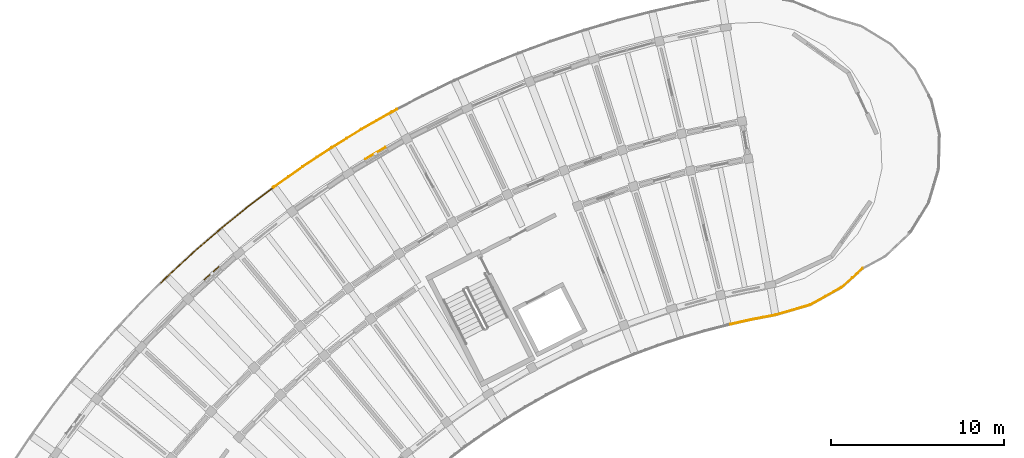
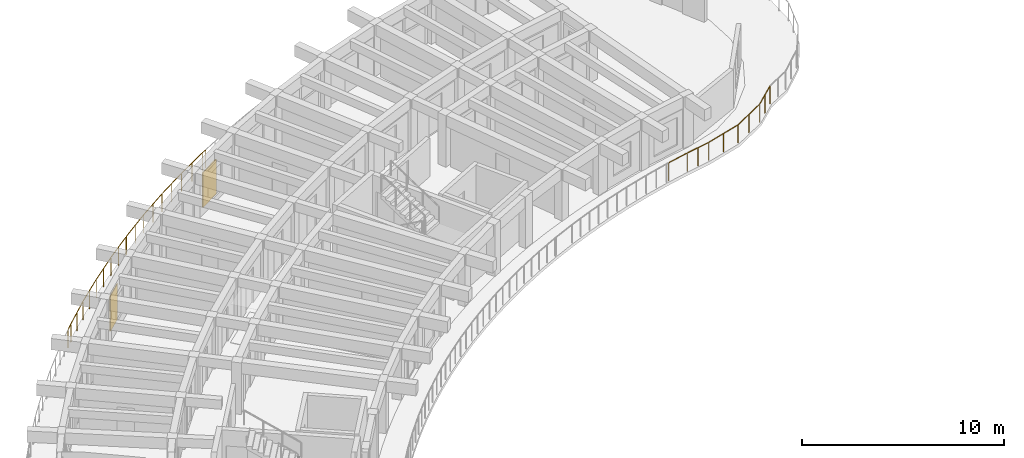
# One storey, part 55 of 62: 3 railings, 2 shading devices.
"""IFC4 building model written with IfcOpenShell, lengths in metres."""

import ifcopenshell
import ifcopenshell.guid

model = None  # the IFC model being written
_history = None  # IfcOwnerHistory: only IFC2X3 demands one
_inside = {}  # id of a spatial element -> (the spatial element, [elements in it])
_under = {}  # id of a project, library or spatial element -> (it, [spatial elements below it])
_declared = {}  # id of a project -> (the project, [libraries it declares])
_typed = {}  # id of a type object -> (the type object, [elements of that type])
_made_of = {}  # id of a material, layer set ... -> (it, [elements and type objects made of it])


def new_model(schema):
    """Start an empty IFC model of exactly this schema.

    Asked for "IFC4X3", IfcOpenShell would pick the latest addendum, in which some entities
    have other attributes; the version numbers below select the first issue.
    IFC2X3 requires an IfcOwnerHistory on every rooted entity: one is made here for all.
    """
    global model, _history
    if schema == "IFC4X3":
        model = ifcopenshell.file(schema_version=(4, 3, 0, 0))
    else:
        model = ifcopenshell.file(schema=schema)
    _inside.clear()
    _under.clear()
    _declared.clear()
    _typed.clear()
    _made_of.clear()
    _history = None
    if model.schema == "IFC2X3":
        org = make("IfcOrganization", Name="unknown")
        user = make(
            "IfcPersonAndOrganization",
            ThePerson=make("IfcPerson", FamilyName="unknown"),
            TheOrganization=org,
        )
        app = make(
            "IfcApplication",
            ApplicationDeveloper=org,
            Version="unknown",
            ApplicationFullName="unknown",
            ApplicationIdentifier="unknown",
        )
        _history = make(
            "IfcOwnerHistory",
            OwningUser=user,
            OwningApplication=app,
            ChangeAction="ADDED",
            CreationDate=0,
        )
    return model


def make(cls, **values):
    """One entity of the class cls with the attributes given. An attribute that is None is left unset."""
    return model.create_entity(
        cls, **{name: value for name, value in values.items() if value is not None}
    )


def rooted(cls, **values):
    """An entity with a GlobalId (a new one), such as an element, a storey or a relation."""
    return make(cls, GlobalId=ifcopenshell.guid.new(), OwnerHistory=_history, **values)


def si_unit(unit_type, name, prefix=None):
    """IfcSIUnit, for example si_unit("LENGTHUNIT", "METRE", prefix="MILLI")."""
    return make("IfcSIUnit", UnitType=unit_type, Prefix=prefix, Name=name)


def assignment(units):
    """IfcUnitAssignment: the units of a project."""
    return None if units is None else make("IfcUnitAssignment", Units=units)


def point(xyz):
    """IfcCartesianPoint."""
    return None if xyz is None else make("IfcCartesianPoint", Coordinates=xyz)


def direction(xyz):
    """IfcDirection."""
    return None if xyz is None else make("IfcDirection", DirectionRatios=xyz)


def frame(location, z_axis=None, x_axis=None):
    """IfcAxis2Placement3D, a coordinate frame: its origin and axes. An axis left out is left unset."""
    return make(
        "IfcAxis2Placement3D",
        Location=point(location),
        Axis=direction(z_axis),
        RefDirection=direction(x_axis),
    )


def frame_2d(location, x_axis=None):
    """IfcAxis2Placement2D, a coordinate frame in the plane: its origin and x axis."""
    return make(
        "IfcAxis2Placement2D", Location=point(location), RefDirection=direction(x_axis)
    )


def origin():
    """The frame at (0, 0, 0) with its axes left unset."""
    return frame((0.0, 0.0, 0.0))


def origin_2d():
    """The frame at (0, 0) in the plane with its x axis left unset."""
    return frame_2d((0.0, 0.0))


def place(relative_to, where):
    """IfcLocalPlacement: puts the frame where relative to a parent placement (None: the world)."""
    return make(
        "IfcLocalPlacement", PlacementRelTo=relative_to, RelativePlacement=where
    )


def context(
    kind, dimensions, precision=None, world=None, true_north=None, identifier=None
):
    """IfcGeometricRepresentationContext, for example the 3D "Model" context."""
    return make(
        "IfcGeometricRepresentationContext",
        ContextIdentifier=identifier,
        ContextType=kind,
        CoordinateSpaceDimension=dimensions,
        Precision=precision,
        WorldCoordinateSystem=world,
        TrueNorth=true_north,
    )


def subcontext(parent, identifier, kind, view, scale=None):
    """IfcGeometricRepresentationSubContext, for example "Body" below "Model"."""
    return make(
        "IfcGeometricRepresentationSubContext",
        ContextIdentifier=identifier,
        ContextType=kind,
        ParentContext=parent,
        TargetScale=scale,
        TargetView=view,
    )


def project(units=None, contexts=None):
    """IfcProject with its units and contexts."""
    return rooted(
        "IfcProject",
        Name="project",
        RepresentationContexts=contexts,
        UnitsInContext=assignment(units),
    )


def spatial(cls, under=None, at=None, **own):
    """A site, building, storey or space (cls), placed at a placement, below another one or the project."""
    s = rooted(cls, ObjectPlacement=at, **own)
    if under is not None:
        _under.setdefault(under.id(), (under, []))[1].append(s)
    return s


def profile(cls, at=None, kind="AREA", **sizes):
    """A parametric profile (cls). Its sizes go by their IFC names, for example OverallWidth=200.0."""
    return make(cls, ProfileType=kind, Position=at, **sizes)


def rectangle(**sizes):
    """IfcRectangleProfileDef."""
    return profile("IfcRectangleProfileDef", **sizes)


def circle(**sizes):
    """IfcCircleProfileDef."""
    return profile("IfcCircleProfileDef", **sizes)


def extrude(swept, where, along, depth):
    """IfcExtrudedAreaSolid: the profile swept, set in the frame where, extruded along a direction by depth."""
    return make(
        "IfcExtrudedAreaSolid",
        SweptArea=swept,
        Position=where,
        ExtrudedDirection=direction(along),
        Depth=depth,
    )


def shape(context_of_items, identifier, shape_type, items):
    """IfcShapeRepresentation: the items that make up one representation, for example the "Body"."""
    return make(
        "IfcShapeRepresentation",
        ContextOfItems=context_of_items,
        RepresentationIdentifier=identifier,
        RepresentationType=shape_type,
        Items=items,
    )


def material(Name=None, Category=None):
    """IfcMaterial."""
    return make("IfcMaterial", Name=Name, Category=Category)


def layer(
    of_material, thickness, ventilated=None, Name=None, Category=None, Priority=None
):
    """IfcMaterialLayer: one layer of a wall or slab, of a material (None: an air gap)."""
    return make(
        "IfcMaterialLayer",
        Material=of_material,
        LayerThickness=thickness,
        IsVentilated=ventilated,
        Name=Name,
        Category=Category,
        Priority=Priority,
    )


def layer_set(layers, Name=None):
    """IfcMaterialLayerSet."""
    return make("IfcMaterialLayerSet", MaterialLayers=layers, LayerSetName=Name)


def made_of(thing, what):
    """Note that an element or type object is made of a material, layer set ...; save() writes the relation."""
    if what is not None:
        _made_of.setdefault(what.id(), (what, []))[1].append(thing)
    return thing


def type_object(cls, material=None, **own):
    """A type object (cls), such as IfcWallType, which elements share."""
    return made_of(rooted(cls, **own), material)


def element(
    cls,
    number,
    at=None,
    inside=None,
    cuts=None,
    type_object=None,
    material=None,
    context=None,
    identifier="Body",
    shape_type=None,
    held_by="IfcProductDefinitionShape",
    body=None,
    shapes=None,
    **own,
):
    """One element of the class cls, such as IfcWall. Its Tag is "e" and its number.

    at: its placement. inside: the storey or other place that contains it. cuts: it is an
    opening in that element (IfcRelVoidsElement). A single representation is given by context,
    identifier, shape_type and body (its items); several are given by shapes. held_by: the class
    of the entity that holds the representations. save() writes the other relations.
    """
    e = rooted(cls, Tag="e%d" % number, ObjectPlacement=at, **own)
    if body is not None:
        shapes = [shape(context, identifier, shape_type, body)]
    if shapes is not None:
        e.Representation = make(held_by, Representations=shapes)
    if inside is not None:
        _inside.setdefault(inside.id(), (inside, []))[1].append(e)
    if cuts is not None:
        rooted(
            "IfcRelVoidsElement", RelatingBuildingElement=cuts, RelatedOpeningElement=e
        )
    if type_object is not None:
        _typed.setdefault(type_object.id(), (type_object, []))[1].append(e)
    return made_of(e, material)


def aggregate(whole, parts):
    """IfcRelAggregates: a whole, such as a stair, and the parts it consists of."""
    return rooted("IfcRelAggregates", RelatingObject=whole, RelatedObjects=parts)


def save(model, path):
    """Write the relations noted so far, then the file.

    IfcRelAggregates (storeys below a building ...), IfcRelContainedInSpatialStructure (elements
    in a storey), IfcRelDefinesByType, IfcRelAssociatesMaterial and IfcRelDeclares: one each for
    every whole, place, type object, material and project.
    """
    for whole, parts in _under.values():
        aggregate(whole, parts)
    for where, things in _inside.values():
        rooted(
            "IfcRelContainedInSpatialStructure",
            RelatedElements=things,
            RelatingStructure=where,
        )
    for kind, things in _typed.values():
        rooted("IfcRelDefinesByType", RelatedObjects=things, RelatingType=kind)
    for what, things in _made_of.values():
        rooted("IfcRelAssociatesMaterial", RelatedObjects=things, RelatingMaterial=what)
    for by, libraries in _declared.values():
        rooted("IfcRelDeclares", RelatingContext=by, RelatedDefinitions=libraries)
    model.write(path)


model = new_model("IFC4")

# Units and contexts
model_context = context("Model", 3, precision=1e-05, world=origin(), true_north=direction((0.0, 1.0)))
body_context = subcontext(model_context, "Body", "Model", "MODEL_VIEW")
ifc_project = project(units=[si_unit("LENGTHUNIT", "METRE"), si_unit("AREAUNIT", "SQUARE_METRE"), si_unit("VOLUMEUNIT", "CUBIC_METRE"), si_unit("PLANEANGLEUNIT", "RADIAN"), si_unit("MASSUNIT", "GRAM", prefix="KILO")], contexts=[model_context])

# Site, building, storey
site_placement = place(None, origin())
site = spatial("IfcSite", under=ifc_project, at=site_placement, CompositionType="ELEMENT")
building_placement = place(site_placement, origin())
building = spatial("IfcBuilding", under=site, at=building_placement, Name="Tanwirah Colonnade Gardens", CompositionType="ELEMENT")
storey_placement = place(building_placement, frame((0.0, 0.0, 32.360107421875)))
storey = spatial("IfcBuildingStorey", under=building, at=storey_placement, Name="L09", CompositionType="ELEMENT", Elevation=32.360107421875)

# Railings
ifc_material_1 = material(Name="Precast concrete C40/50", Category="concrete")
railing_type = type_object("IfcRailingType", Name="BAL-EXT112", PredefinedType="BALUSTRADE", material=ifc_material_1)
railing_1_placement = place(storey_placement, frame((62.82373046875, 104.9736328125, 0.0)))
element("IfcRailing", 1, at=railing_1_placement, inside=storey, type_object=railing_type, Name="Block A L09 Balcony Ribbon Balustrade 1", PredefinedType="BALUSTRADE", context=body_context, shape_type="SweptSolid", body=[
    extrude(circle(Radius=0.02392578125, at=origin_2d()), frame((-0.023193359375, -0.02099609375, 1.09619140625), z_axis=(-0.744056119377, -0.668117123877, 0.0), x_axis=(0.668117123877, -0.744056119377, 0.0)), (0.0, 0.0, 1.0), 1.609375),
    extrude(circle(Radius=0.02392578125, at=origin_2d()), frame((-1.271240234375, -1.132080078125, 1.09619140625), z_axis=(-0.874113127166, -0.485722390791, 0.0), x_axis=(0.485722390791, -0.874113127166, 0.0)), (0.0, 0.0, 1.0), 2.0244140625),
    extrude(circle(Radius=0.02392578125, at=origin_2d()), frame((-3.09814453125, -2.139404296875, 1.09619140625), z_axis=(-0.960245363481, -0.279157378397, 0.0), x_axis=(0.279157378397, -0.960245363481, 0.0)), (0.0, 0.0, 1.0), 2.029541015625),
    extrude(circle(Radius=0.02392578125, at=origin_2d()), frame((-5.107666015625, -2.720458984375, 1.09619140625), z_axis=(-0.982553032323, -0.185982630032, 0.0), x_axis=(0.185982630032, -0.982553032323, 0.0)), (0.0, 0.0, 1.0), 1.338134765625),
    extrude(circle(Radius=0.02392578125, at=origin_2d()), frame((-6.486083984375, -2.982421875, 1.09619140625), z_axis=(-0.975849373952, -0.218444499489, 0.0), x_axis=(0.218444499489, -0.975849373952, 0.0)), (0.0, 0.0, 1.0), 1.18359375),
    extrude(circle(Radius=0.02099609375, at=origin_2d()), origin(), (0.0, 0.0, 1.0), 1.069091796875),
    extrude(circle(Radius=0.02099609375, at=origin_2d()), frame((-0.6220703125, -0.55859375, 0.0)), (0.0, 0.0, 1.0), 1.069091796875),
    extrude(circle(Radius=0.02099609375, at=origin_2d()), frame((-1.243896484375, -1.116943359375, 0.0)), (0.0, 0.0, 1.0), 1.069091796875),
    extrude(circle(Radius=0.02099609375, at=origin_2d()), frame((-2.156005859375, -1.623779296875, 0.0)), (0.0, 0.0, 1.0), 1.069091796875),
    extrude(circle(Radius=0.02099609375, at=origin_2d()), frame((-3.068115234375, -2.130615234375, 0.0)), (0.0, 0.0, 1.0), 1.069091796875),
    extrude(circle(Radius=0.02099609375, at=origin_2d()), frame((-4.072509765625, -2.422607421875, 0.0)), (0.0, 0.0, 1.0), 1.069091796875),
    extrude(circle(Radius=0.02099609375, at=origin_2d()), frame((-5.076904296875, -2.714599609375, 0.0)), (0.0, 0.0, 1.0), 1.069091796875),
    extrude(circle(Radius=0.02099609375, at=origin_2d()), frame((-5.76513671875, -2.8447265625, 0.0)), (0.0, 0.0, 1.0), 1.069091796875),
    extrude(circle(Radius=0.02099609375, at=origin_2d()), frame((-6.453125, -2.97509765625, 0.0)), (0.0, 0.0, 1.0), 1.069091796875),
    extrude(circle(Radius=0.02099609375, at=origin_2d()), frame((-7.671630859375, -3.247802734375, 0.0)), (0.0, 0.0, 1.0), 1.069091796875),
])
railing_2_placement = place(storey_placement, frame((22.217041015625, 104.120361328125, 0.0)))
element("IfcRailing", 2, at=railing_2_placement, inside=storey, type_object=railing_type, Name="Block A L09 Balcony Ribbon Balustrade 14", PredefinedType="BALUSTRADE", context=body_context, shape_type="SweptSolid", body=[
    extrude(circle(Radius=0.02392578125, at=origin_2d()), frame((0.022216796875, 0.02197265625, 1.09619140625), z_axis=(0.710491165518, 0.703706120281, 0.0), x_axis=(-0.703706120281, 0.710491165518, 0.0)), (0.0, 0.0, 1.0), 0.441162109375),
    extrude(circle(Radius=0.02392578125, at=origin_2d()), frame((0.380859375, 0.375732421875, 1.09619140625), z_axis=(0.733352454033, 0.679848643569, 0.0), x_axis=(-0.679848643569, 0.733352454033, 0.0)), (0.0, 0.0, 1.0), 1.958984375),
    extrude(circle(Radius=0.02392578125, at=origin_2d()), frame((1.864013671875, 1.749267578125, 1.09619140625), z_axis=(0.755338292497, 0.655335077565, 0.0), x_axis=(-0.655335077565, 0.755338292497, 0.0)), (0.0, 0.0, 1.0), 1.958984375),
    extrude(circle(Radius=0.02392578125, at=origin_2d()), frame((3.391357421875, 3.0732421875, 1.09619140625), z_axis=(0.776549722569, 0.630055972417, 0.0), x_axis=(-0.630055972417, 0.776549722569, 0.0)), (0.0, 0.0, 1.0), 1.958984375),
    extrude(circle(Radius=0.02392578125, at=origin_2d()), frame((4.9619140625, 4.345947265625, 1.09619140625), z_axis=(0.79688009949, 0.604137490176, 0.0), x_axis=(-0.604137490176, 0.79688009949, 0.0)), (0.0, 0.0, 1.0), 1.869140625),
    extrude(circle(Radius=0.02099609375, at=origin_2d()), origin(), (0.0, 0.0, 1.0), 1.069091796875),
    extrude(circle(Radius=0.02099609375, at=origin_2d()), frame((0.35791015625, 0.3544921875, 0.0)), (0.0, 0.0, 1.0), 1.069091796875),
    extrude(circle(Radius=0.02099609375, at=origin_2d()), frame((1.09912109375, 1.04150390625, 0.0)), (0.0, 0.0, 1.0), 1.069091796875),
    extrude(circle(Radius=0.02099609375, at=origin_2d()), frame((1.84033203125, 1.728759765625, 0.0)), (0.0, 0.0, 1.0), 1.069091796875),
    extrude(circle(Radius=0.02099609375, at=origin_2d()), frame((2.603759765625, 2.39111328125, 0.0)), (0.0, 0.0, 1.0), 1.069091796875),
    extrude(circle(Radius=0.02099609375, at=origin_2d()), frame((3.3671875, 3.053466796875, 0.0)), (0.0, 0.0, 1.0), 1.069091796875),
    extrude(circle(Radius=0.02099609375, at=origin_2d()), frame((4.152099609375, 3.6904296875, 0.0)), (0.0, 0.0, 1.0), 1.069091796875),
    extrude(circle(Radius=0.02099609375, at=origin_2d()), frame((4.93701171875, 4.3271484375, 0.0)), (0.0, 0.0, 1.0), 1.069091796875),
    extrude(circle(Radius=0.02099609375, at=origin_2d()), frame((5.70654296875, 4.91064453125, 0.0)), (0.0, 0.0, 1.0), 1.069091796875),
    extrude(circle(Radius=0.02099609375, at=origin_2d()), frame((6.476318359375, 5.494140625, 0.0)), (0.0, 0.0, 1.0), 1.069091796875),
])
railing_3_placement = place(storey_placement, frame((28.693359375, 109.614501953125, 0.0)))
element("IfcRailing", 3, at=railing_3_placement, inside=storey, type_object=railing_type, Name="Block A L09 Balcony Ribbon Balustrade 15", PredefinedType="BALUSTRADE", context=body_context, shape_type="SweptSolid", body=[
    extrude(circle(Radius=0.02392578125, at=origin_2d()), frame((0.02490234375, 0.018798828125, 1.09619140625), z_axis=(0.797052468551, 0.603910061496, 0.0), x_axis=(-0.603910061496, 0.797052468551, 0.0)), (0.0, 0.0, 1.0), 0.02734375),
    extrude(circle(Radius=0.02392578125, at=origin_2d()), frame((0.09716796875, 0.072265625, 1.09619140625), z_axis=(0.816344803849, 0.577564854565, 0.0), x_axis=(-0.577564854565, 0.816344803849, 0.0)), (0.0, 0.0, 1.0), 1.958740234375),
    extrude(circle(Radius=0.02392578125, at=origin_2d()), frame((1.747802734375, 1.23876953125, 1.09619140625), z_axis=(0.834955682369, 0.550317188973, 0.0), x_axis=(-0.550317188973, 0.834955682369, 0.0)), (0.0, 0.0, 1.0), 1.959228515625),
    extrude(circle(Radius=0.02392578125, at=origin_2d()), frame((3.436279296875, 2.3505859375, 1.09619140625), z_axis=(0.852660263329, 0.522465764754, 0.0), x_axis=(-0.522465764754, 0.852660263329, 0.0)), (0.0, 0.0, 1.0), 1.958984375),
    extrude(circle(Radius=0.02392578125, at=origin_2d()), frame((5.160400390625, 3.40576171875, 1.09619140625), z_axis=(0.869392881113, 0.494121461049, 0.0), x_axis=(-0.494121461049, 0.869392881113, 0.0)), (0.0, 0.0, 1.0), 1.958740234375),
    extrude(circle(Radius=0.02392578125, at=origin_2d()), frame((6.918212890625, 4.40380859375, 1.09619140625), z_axis=(0.885211954267, 0.465187914742, 0.0), x_axis=(-0.465187914742, 0.885211954267, 0.0)), (0.0, 0.0, 1.0), 0.26171875),
    extrude(circle(Radius=0.02099609375, at=origin_2d()), origin(), (0.0, 0.0, 1.0), 1.069091796875),
    extrude(circle(Radius=0.02099609375, at=origin_2d()), frame((0.071533203125, 0.05419921875, 0.0)), (0.0, 0.0, 1.0), 1.069091796875),
    extrude(circle(Radius=0.02099609375, at=origin_2d()), frame((0.896484375, 0.637939453125, 0.0)), (0.0, 0.0, 1.0), 1.069091796875),
    extrude(circle(Radius=0.02099609375, at=origin_2d()), frame((1.7216796875, 1.2216796875, 0.0)), (0.0, 0.0, 1.0), 1.069091796875),
    extrude(circle(Radius=0.02099609375, at=origin_2d()), frame((2.565673828125, 1.77783203125, 0.0)), (0.0, 0.0, 1.0), 1.069091796875),
    extrude(circle(Radius=0.02099609375, at=origin_2d()), frame((3.40966796875, 2.334228515625, 0.0)), (0.0, 0.0, 1.0), 1.069091796875),
    extrude(circle(Radius=0.02099609375, at=origin_2d()), frame((4.271484375, 2.8623046875, 0.0)), (0.0, 0.0, 1.0), 1.069091796875),
    extrude(circle(Radius=0.02099609375, at=origin_2d()), frame((5.13330078125, 3.390380859375, 0.0)), (0.0, 0.0, 1.0), 1.069091796875),
    extrude(circle(Radius=0.02099609375, at=origin_2d()), frame((6.011962890625, 3.8896484375, 0.0)), (0.0, 0.0, 1.0), 1.069091796875),
    extrude(circle(Radius=0.02099609375, at=origin_2d()), frame((6.890625, 4.38916015625, 0.0)), (0.0, 0.0, 1.0), 1.069091796875),
    extrude(circle(Radius=0.02099609375, at=origin_2d()), frame((7.177734375, 4.5400390625, 0.0)), (0.0, 0.0, 1.0), 1.069091796875),
])

# Shading devices
ifc_material_2 = material(Name="Perforated architectural bronze aluminium", Category="aluminium")
ifc_layer = layer(ifc_material_2, 0.044921875)
ifc_layer_set = layer_set([ifc_layer], Name="Perforated architectural bronze aluminium")
shading_device_type = type_object("IfcShadingDeviceType", Name="SHD-MSH1", PredefinedType="JALOUSIE", material=ifc_layer_set)
shading_device_1_placement = place(storey_placement, frame((34.613525390625, 111.617431640625, 0.0), z_axis=(0.0, 0.0, 1.0), x_axis=(-0.861135955429, -0.508374730162, 0.0)))
element("IfcShadingDevice", 4, at=shading_device_1_placement, inside=storey, type_object=shading_device_type, Name="Bronze mashrabiya solar screen A-L09-06", PredefinedType="JALOUSIE", context=body_context, shape_type="SweptSolid", body=[
    extrude(rectangle(XDim=1.35009765625, YDim=0.044921875, at=origin_2d()), origin(), (0.0, 0.0, 1.0), 2.110107421875),
])
shading_device_2_placement = place(storey_placement, frame((25.142578125, 104.68017578125, 0.0), z_axis=(0.0, 0.0, 1.0), x_axis=(-0.744439844011, -0.667689537621, 0.0)))
element("IfcShadingDevice", 5, at=shading_device_2_placement, inside=storey, type_object=shading_device_type, Name="Bronze mashrabiya solar screen A-L09-09", PredefinedType="JALOUSIE", context=body_context, shape_type="SweptSolid", body=[
    extrude(rectangle(XDim=1.14990234375, YDim=0.044921875, at=origin_2d()), origin(), (0.0, 0.0, 1.0), 2.14990234375),
])

save(model, "model.ifc")
